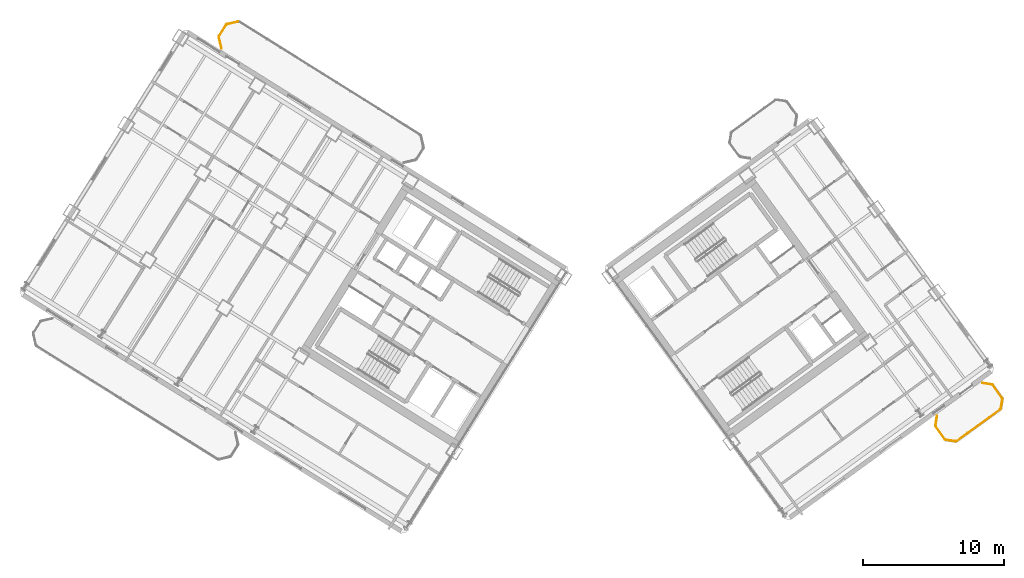
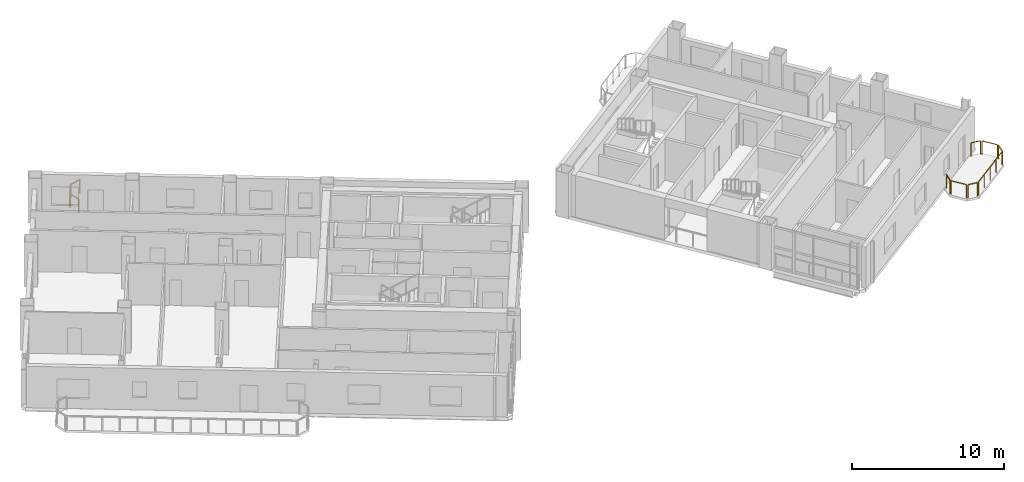
# One storey, part 18 of 18: 10 railings.
"""IFC4 building model written with IfcOpenShell, lengths in metres."""

from ifc_helpers import new_model, si_unit, direction, frame, origin, origin_2d, place, context, subcontext, project, spatial, rectangle, extrude, source, transform, mapped, material, type_object, element, save


model = new_model("IFC4")

# Units and contexts
model_context = context("Model", 3, precision=1e-05, world=origin(), true_north=direction((0.0, 1.0)))
body_context = subcontext(model_context, "Body", "Model", "MODEL_VIEW")
ifc_project = project(units=[si_unit("LENGTHUNIT", "METRE"), si_unit("AREAUNIT", "SQUARE_METRE"), si_unit("VOLUMEUNIT", "CUBIC_METRE"), si_unit("PLANEANGLEUNIT", "RADIAN"), si_unit("MASSUNIT", "GRAM", prefix="KILO")], contexts=[model_context])

# Site, building, storey
site_placement = place(None, origin())
site = spatial("IfcSite", under=ifc_project, at=site_placement, CompositionType="ELEMENT")
building_placement = place(site_placement, origin())
building = spatial("IfcBuilding", under=site, at=building_placement, Name="Tlacorven Tower", CompositionType="ELEMENT")
storey_placement = place(building_placement, frame((0.0, 0.0, 132.60009765625)))
storey = spatial("IfcBuildingStorey", under=building, at=storey_placement, Name="L33", CompositionType="ELEMENT", Elevation=132.60009765625)

# Railings
ifc_material = material(Name="Aluminium and painted steel balustrade", Category="steel")
railing_type = type_object("IfcRailingType", Name="RL-BAL-1100", PredefinedType="BALUSTRADE", material=ifc_material)
shared_shape_1 = source(origin(), body_context, "Body", "SweptSolid", [
    extrude(rectangle(XDim=0.048095703125, YDim=0.048095703125, at=origin_2d()), frame((0.0, 0.0, 1.076171875), z_axis=(-0.225058334816, 0.974345290916, 0.0), x_axis=(-0.974345290916, -0.225058334816, 0.0)), (0.0, 0.0, 1.0), 0.80712890625),
    extrude(rectangle(XDim=0.0419921875, YDim=0.0419921875, at=origin_2d()), origin(), (0.0, 0.0, 1.0), 1.052001953125),
    extrude(rectangle(XDim=0.0419921875, YDim=0.0419921875, at=origin_2d()), frame((-0.181640625, 0.786376953125, 0.0)), (0.0, 0.0, 1.0), 1.052001953125),
])
railing_1_placement = place(storey_placement, frame((16.5361328125, 40.68115234375, 0.0)))
element("IfcRailing", 1, at=railing_1_placement, inside=storey, type_object=railing_type, Name="BAL-L33-W-IN Guard Railing 4", PredefinedType="BALUSTRADE", context=body_context, shape_type="MappedRepresentation", body=[
    mapped(shared_shape_1, transform((0.0, 0.0, 0.0), scale=1.0)),
])
shared_shape_2 = source(origin(), body_context, "Body", "SweptSolid", [
    extrude(rectangle(XDim=0.048095703125, YDim=0.048095703125, at=origin_2d()), frame((0.0, 0.0, 1.076171875), z_axis=(0.52987865805, 0.848073468364, 0.0), x_axis=(-0.848073468364, 0.52987865805, 0.0)), (0.0, 0.0, 1.0), 0.912353515625),
    extrude(rectangle(XDim=0.0419921875, YDim=0.0419921875, at=origin_2d()), origin(), (0.0, 0.0, 1.0), 1.052001953125),
    extrude(rectangle(XDim=0.0419921875, YDim=0.0419921875, at=origin_2d()), frame((0.4833984375, 0.773681640625, 0.0)), (0.0, 0.0, 1.0), 1.052001953125),
])
railing_2_placement = place(storey_placement, frame((16.369873046875, 41.55859375, 0.0)))
element("IfcRailing", 2, at=railing_2_placement, inside=storey, type_object=railing_type, Name="BAL-L33-W-IN Guard Railing 5", PredefinedType="BALUSTRADE", context=body_context, shape_type="MappedRepresentation", body=[
    mapped(shared_shape_2, transform((0.0, 0.0, 0.0), scale=1.0)),
])
shared_shape_3 = source(origin(), body_context, "Body", "SweptSolid", [
    extrude(rectangle(XDim=0.048095703125, YDim=0.048095703125, at=origin_2d()), frame((0.0, 0.0, 1.076171875), z_axis=(0.974411586182, 0.224771129628, 0.0), x_axis=(-0.224771129628, 0.974411586182, 0.0)), (0.0, 0.0, 1.0), 0.80712890625),
    extrude(rectangle(XDim=0.0419921875, YDim=0.0419921875, at=origin_2d()), origin(), (0.0, 0.0, 1.0), 1.052001953125),
    extrude(rectangle(XDim=0.0419921875, YDim=0.0419921875, at=origin_2d()), frame((0.786376953125, 0.181396484375, 0.0)), (0.0, 0.0, 1.0), 1.052001953125),
])
railing_3_placement = place(storey_placement, frame((16.928466796875, 42.385986328125, 0.0)))
element("IfcRailing", 3, at=railing_3_placement, inside=storey, type_object=railing_type, Name="BAL-L33-W-IN Guard Railing 6", PredefinedType="BALUSTRADE", context=body_context, shape_type="MappedRepresentation", body=[
    mapped(shared_shape_3, transform((0.0, 0.0, 0.0), scale=1.0)),
])
shared_shape_4 = source(origin(), body_context, "Body", "SweptSolid", [
    extrude(rectangle(XDim=0.048095703125, YDim=0.048095703125, at=origin_2d()), frame((0.0, 0.0, 1.076171875), z_axis=(-0.987661653326, 0.156602868908, 0.0), x_axis=(-0.156602868908, -0.987661653326, 0.0)), (0.0, 0.0, 1.0), 0.665771484375),
    extrude(rectangle(XDim=0.0419921875, YDim=0.0419921875, at=origin_2d()), origin(), (0.0, 0.0, 1.0), 1.052001953125),
    extrude(rectangle(XDim=0.0419921875, YDim=0.0419921875, at=origin_2d()), frame((-0.657470703125, 0.104248046875, 0.0)), (0.0, 0.0, 1.0), 1.052001953125),
])
railing_4_placement = place(storey_placement, frame((68.59521484375, 12.7919921875, 0.0)))
element("IfcRailing", 4, at=railing_4_placement, inside=storey, type_object=railing_type, Name="BAL-L33-E-OUT Guard Railing 1", PredefinedType="BALUSTRADE", context=body_context, shape_type="MappedRepresentation", body=[
    mapped(shared_shape_4, transform((0.0, 0.0, 0.0), scale=1.0)),
])
shared_shape_5 = source(origin(), body_context, "Body", "SweptSolid", [
    extrude(rectangle(XDim=0.048095703125, YDim=0.048095703125, at=origin_2d()), frame((0.0, 0.0, 1.076171875), z_axis=(-0.58788449985, 0.808944877501, 0.0), x_axis=(-0.808944877501, -0.58788449985, 0.0)), (0.0, 0.0, 1.0), 1.112060546875),
    extrude(rectangle(XDim=0.0419921875, YDim=0.0419921875, at=origin_2d()), origin(), (0.0, 0.0, 1.0), 1.052001953125),
    extrude(rectangle(XDim=0.0419921875, YDim=0.0419921875, at=origin_2d()), frame((-0.65380859375, 0.899658203125, 0.0)), (0.0, 0.0, 1.0), 1.052001953125),
])
railing_5_placement = place(storey_placement, frame((67.85888671875, 12.944580078125, 0.0)))
element("IfcRailing", 5, at=railing_5_placement, inside=storey, type_object=railing_type, Name="BAL-L33-E-OUT Guard Railing 2", PredefinedType="BALUSTRADE", context=body_context, shape_type="MappedRepresentation", body=[
    mapped(shared_shape_5, transform((0.0, 0.0, 0.0), scale=1.0)),
])
shared_shape_6 = source(origin(), body_context, "Body", "SweptSolid", [
    extrude(rectangle(XDim=0.048095703125, YDim=0.048095703125, at=origin_2d()), frame((0.0, 0.0, 1.076171875), z_axis=(0.156602868908, 0.987661653326, 0.0), x_axis=(-0.987661653326, 0.156602868908, 0.0)), (0.0, 0.0, 1.0), 0.665771484375),
    extrude(rectangle(XDim=0.0419921875, YDim=0.0419921875, at=origin_2d()), origin(), (0.0, 0.0, 1.0), 1.052001953125),
    extrude(rectangle(XDim=0.0419921875, YDim=0.0419921875, at=origin_2d()), frame((0.104248046875, 0.657470703125, 0.0)), (0.0, 0.0, 1.0), 1.052001953125),
])
railing_6_placement = place(storey_placement, frame((67.18359375, 13.93408203125, 0.0)))
element("IfcRailing", 6, at=railing_6_placement, inside=storey, type_object=railing_type, Name="BAL-L33-E-OUT Guard Railing 3", PredefinedType="BALUSTRADE", context=body_context, shape_type="MappedRepresentation", body=[
    mapped(shared_shape_6, transform((0.0, 0.0, 0.0), scale=1.0)),
])
shared_shape_7 = source(origin(), body_context, "Body", "SweptSolid", [
    extrude(rectangle(XDim=0.048095703125, YDim=0.048095703125, at=origin_2d()), frame((0.0, 0.0, 1.076171875), z_axis=(0.987718317463, -0.156245081039, 0.0), x_axis=(0.156245081039, 0.987718317463, 0.0)), (0.0, 0.0, 1.0), 0.66552734375),
    extrude(rectangle(XDim=0.0419921875, YDim=0.0419921875, at=origin_2d()), origin(), (0.0, 0.0, 1.0), 1.052001953125),
    extrude(rectangle(XDim=0.0419921875, YDim=0.0419921875, at=origin_2d()), frame((0.657470703125, -0.10400390625, 0.0)), (0.0, 0.0, 1.0), 1.052001953125),
])
railing_7_placement = place(storey_placement, frame((70.513916015625, 16.935546875, 0.0)))
element("IfcRailing", 7, at=railing_7_placement, inside=storey, type_object=railing_type, Name="BAL-L33-E-OUT Guard Railing 4", PredefinedType="BALUSTRADE", context=body_context, shape_type="MappedRepresentation", body=[
    mapped(shared_shape_7, transform((0.0, 0.0, 0.0), scale=1.0)),
])
shared_shape_8 = source(origin(), body_context, "Body", "SweptSolid", [
    extrude(rectangle(XDim=0.048095703125, YDim=0.048095703125, at=origin_2d()), frame((0.0, 0.0, 1.076171875), z_axis=(0.58788449985, -0.808944877501, 0.0), x_axis=(0.808944877501, 0.58788449985, 0.0)), (0.0, 0.0, 1.0), 1.112060546875),
    extrude(rectangle(XDim=0.0419921875, YDim=0.0419921875, at=origin_2d()), origin(), (0.0, 0.0, 1.0), 1.052001953125),
    extrude(rectangle(XDim=0.0419921875, YDim=0.0419921875, at=origin_2d()), frame((0.65380859375, -0.899658203125, 0.0)), (0.0, 0.0, 1.0), 1.052001953125),
])
railing_8_placement = place(storey_placement, frame((71.250244140625, 16.783203125, 0.0)))
element("IfcRailing", 8, at=railing_8_placement, inside=storey, type_object=railing_type, Name="BAL-L33-E-OUT Guard Railing 5", PredefinedType="BALUSTRADE", context=body_context, shape_type="MappedRepresentation", body=[
    mapped(shared_shape_8, transform((0.0, 0.0, 0.0), scale=1.0)),
])
shared_shape_9 = source(origin(), body_context, "Body", "SweptSolid", [
    extrude(rectangle(XDim=0.048095703125, YDim=0.048095703125, at=origin_2d()), frame((0.0, 0.0, 1.076171875), z_axis=(-0.156188498702, -0.987727266442, 0.0), x_axis=(0.987727266442, -0.156188498702, 0.0)), (0.0, 0.0, 1.0), 0.665771484375),
    extrude(rectangle(XDim=0.0419921875, YDim=0.0419921875, at=origin_2d()), origin(), (0.0, 0.0, 1.0), 1.052001953125),
    extrude(rectangle(XDim=0.0419921875, YDim=0.0419921875, at=origin_2d()), frame((-0.10400390625, -0.65771484375, 0.0)), (0.0, 0.0, 1.0), 1.052001953125),
])
railing_9_placement = place(storey_placement, frame((71.925537109375, 15.793701171875, 0.0)))
element("IfcRailing", 9, at=railing_9_placement, inside=storey, type_object=railing_type, Name="BAL-L33-E-OUT Guard Railing 6", PredefinedType="BALUSTRADE", context=body_context, shape_type="MappedRepresentation", body=[
    mapped(shared_shape_9, transform((0.0, 0.0, 0.0), scale=1.0)),
])
shared_shape_10 = source(origin(), body_context, "Body", "SweptSolid", [
    extrude(rectangle(XDim=0.048095703125, YDim=0.048095703125, at=origin_2d()), frame((0.0, 0.0, 1.076171875), z_axis=(-0.809018102573, -0.587783726986, 0.0), x_axis=(0.587783726986, -0.809018102573, 0.0)), (0.0, 0.0, 1.0), 3.817138671875),
    extrude(rectangle(XDim=0.0419921875, YDim=0.0419921875, at=origin_2d()), origin(), (0.0, 0.0, 1.0), 1.052001953125),
    extrude(rectangle(XDim=0.0419921875, YDim=0.0419921875, at=origin_2d()), frame((-0.77197265625, -0.56103515625, 0.0)), (0.0, 0.0, 1.0), 1.052001953125),
    extrude(rectangle(XDim=0.0419921875, YDim=0.0419921875, at=origin_2d()), frame((-1.5439453125, -1.121826171875, 0.0)), (0.0, 0.0, 1.0), 1.052001953125),
    extrude(rectangle(XDim=0.0419921875, YDim=0.0419921875, at=origin_2d()), frame((-2.316162109375, -1.6826171875, 0.0)), (0.0, 0.0, 1.0), 1.052001953125),
    extrude(rectangle(XDim=0.0419921875, YDim=0.0419921875, at=origin_2d()), frame((-3.088134765625, -2.24365234375, 0.0)), (0.0, 0.0, 1.0), 1.052001953125),
])
railing_10_placement = place(storey_placement, frame((71.773193359375, 15.057373046875, 0.0)))
element("IfcRailing", 10, at=railing_10_placement, inside=storey, type_object=railing_type, Name="BAL-L33-E-OUT Guard Railing 7", PredefinedType="BALUSTRADE", context=body_context, shape_type="MappedRepresentation", body=[
    mapped(shared_shape_10, transform((0.0, 0.0, 0.0), scale=1.0)),
])

save(model, "model.ifc")
